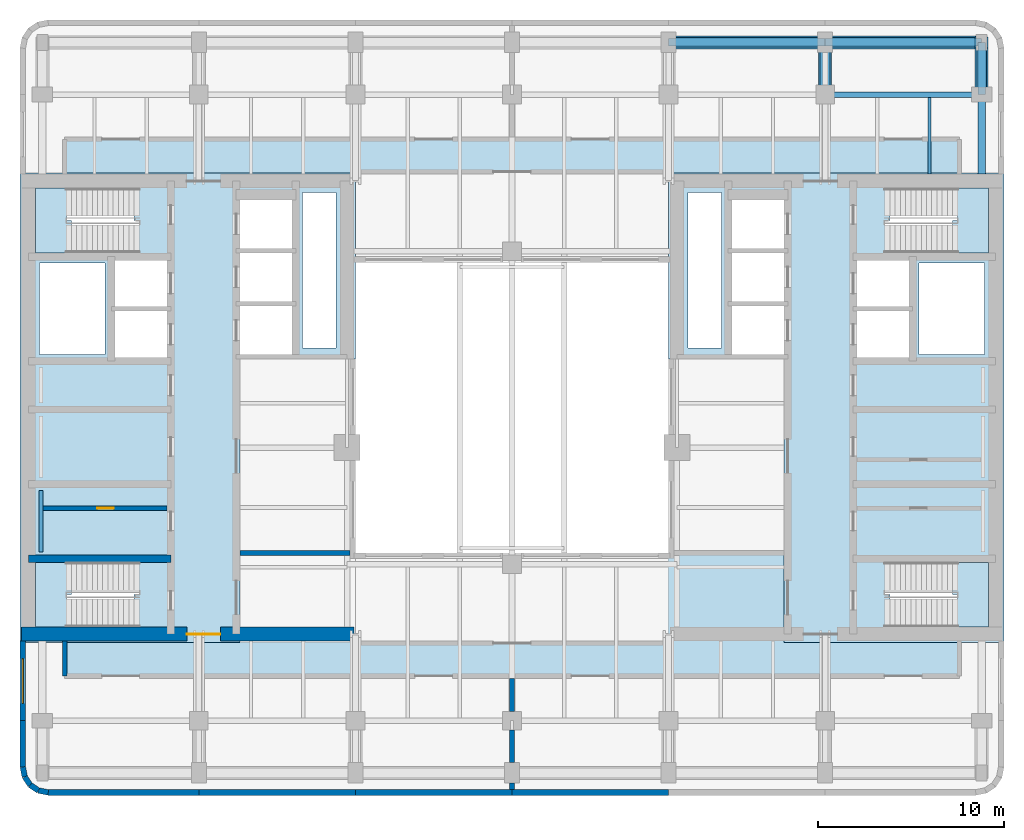
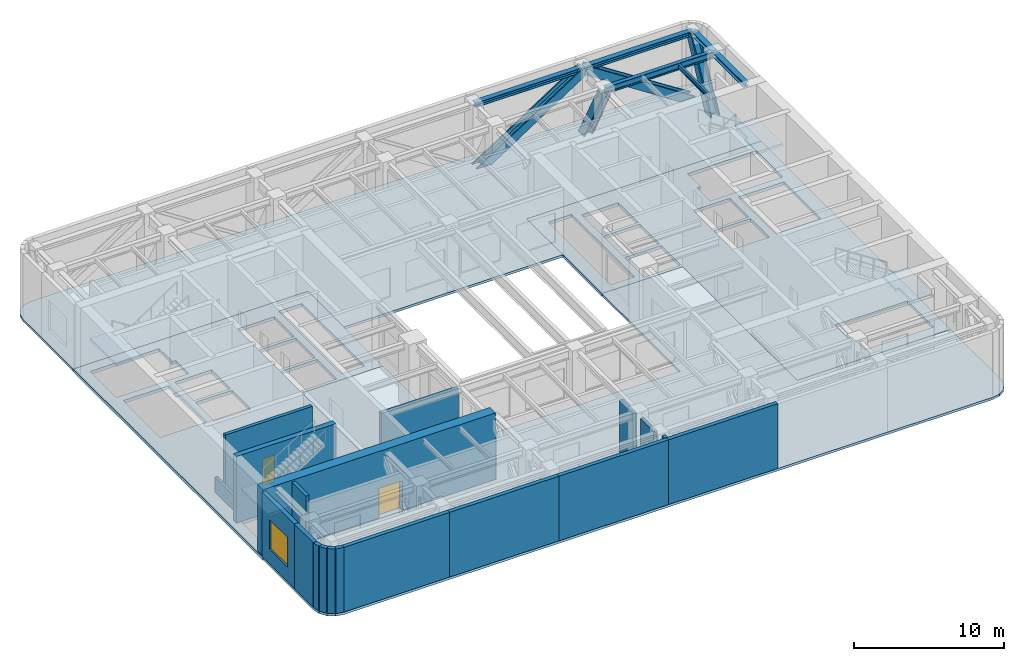
# One storey, part 3 of 10: 19 walls, 8 slabs, 6 beams, 4 members, 2 doors, 1 window, 3 openings, 4 elements without a shape of their own.
"""IFC4 building model written with IfcOpenShell, lengths in metres."""

from ifc_helpers import new_model, si_unit, direction, frame, frame_2d, origin, origin_2d, place, context, subcontext, project, spatial, polyline, rectangle, i_section, outline, extrude, material, layer, layer_set, material_profile, profile_set, type_object, element, fill, aggregate, save


model = new_model("IFC4")

# Units and contexts
model_context = context("Model", 3, precision=1e-05, world=origin(), true_north=direction((0.0, 1.0)))
body_context = subcontext(model_context, "Body", "Model", "MODEL_VIEW")
ifc_project = project(units=[si_unit("LENGTHUNIT", "METRE"), si_unit("AREAUNIT", "SQUARE_METRE"), si_unit("VOLUMEUNIT", "CUBIC_METRE"), si_unit("PLANEANGLEUNIT", "RADIAN"), si_unit("MASSUNIT", "GRAM", prefix="KILO")], contexts=[model_context])

# Site, building, storey
site_placement = place(None, origin())
site = spatial("IfcSite", under=ifc_project, at=site_placement, CompositionType="ELEMENT")
building_placement = place(site_placement, origin())
building = spatial("IfcBuilding", under=site, at=building_placement, Name="Claustro Exchange Tower", CompositionType="ELEMENT")
storey_placement = place(building_placement, frame((0.0, 0.0, 244.800048828125)))
storey = spatial("IfcBuildingStorey", under=building, at=storey_placement, Name="L56", CompositionType="ELEMENT", Elevation=244.800048828125)

# Beams
ifc_material_1 = material(Name="Steel S355", Category="steel")
ifc_material_profile_1 = material_profile(ifc_material_1, i_section(OverallWidth=0.169921875, OverallDepth=0.360107421875, WebThickness=0.008056640625, FlangeThickness=0.0126953125, FilletRadius=0.01806640625, at=origin_2d()), Name="IPE 360")
ifc_profile_set_1 = profile_set([ifc_material_profile_1], Name="Steel S355")
beam_type_1 = type_object("IfcBeamType", Name="B16 IPE 360 short-span beam", PredefinedType="BEAM", material=ifc_profile_set_1)
beam_1_placement = place(storey_placement, frame((47.60009765625, 37.72509765625, 5.070068359375), z_axis=(0.0, 1.0, 0.0), x_axis=(-1.0, 0.0, 0.0)))
element("IfcBeam", 1, at=beam_1_placement, inside=storey, type_object=beam_type_1, Name="Beam B16 L57", PredefinedType="BEAM", context=body_context, shape_type="SweptSolid", body=[
    extrude(i_section(OverallWidth=0.169921875, OverallDepth=0.360107421875, WebThickness=0.008056640625, FlangeThickness=0.0126953125, FilletRadius=0.01806640625, at=origin_2d()), origin(), (0.0, 0.0, 1.0), 4.125),
])
ifc_material_2 = material(Name="Steel S355", Category="steel")
ifc_material_profile_2 = material_profile(ifc_material_2, i_section(OverallWidth=0.300048828125, OverallDepth=0.550048828125, WebThickness=0.014892578125, FlangeThickness=0.029052734375, FilletRadius=0.027099609375, at=origin_2d()), Name="HE 550 B")
ifc_profile_set_2 = profile_set([ifc_material_profile_2], Name="Steel S355")
beam_type_2 = type_object("IfcBeamType", Name="B17 HE 550 B floor girder", PredefinedType="BEAM", material=ifc_profile_set_2)
beam_2_placement = place(storey_placement, frame((42.0, 42.0, 4.974853515625), z_axis=(1.0, 0.0, 0.0), x_axis=(0.0, 1.0, 0.0)))
element("IfcBeam", 2, at=beam_2_placement, inside=storey, type_object=beam_type_2, Name="Beam B17 L57", PredefinedType="BEAM", context=body_context, shape_type="SweptSolid", body=[
    extrude(i_section(OverallWidth=0.300048828125, OverallDepth=0.550048828125, WebThickness=0.014892578125, FlangeThickness=0.029052734375, FilletRadius=0.027099609375, at=origin_2d()), origin(), (0.0, 0.0, 1.0), 8.39990234375),
])
ifc_material_3 = material(Name="Steel S460", Category="steel")
ifc_material_profile_3 = material_profile(ifc_material_3, i_section(OverallWidth=0.39501953125, OverallDepth=0.3798828125, WebThickness=0.018798828125, FlangeThickness=0.0302734375, FilletRadius=0.014892578125, at=origin_2d()), Name="HD 400x237")
ifc_profile_set_3 = profile_set([ifc_material_profile_3], Name="Steel S460")
beam_type_3 = type_object("IfcBeamType", Name="BT5 HD 400x237 belt truss chord", PredefinedType="BEAM", material=ifc_profile_set_3)
beam_3_placement = place(storey_placement, frame((50.39990234375, 37.72509765625, 5.06005859375), z_axis=(0.0, 1.0, 0.0), x_axis=(-1.0, 0.0, 0.0)))
element("IfcBeam", 3, at=beam_3_placement, inside=storey, type_object=beam_type_3, Name="Beam BT5 L57", PredefinedType="BEAM", context=body_context, shape_type="SweptSolid", body=[
    extrude(i_section(OverallWidth=0.39501953125, OverallDepth=0.3798828125, WebThickness=0.018798828125, FlangeThickness=0.0302734375, FilletRadius=0.014892578125, at=origin_2d()), origin(), (0.0, 0.0, 1.0), 4.27490234375),
])
beam_4_placement = place(storey_placement, frame((50.39990234375, 42.0, 5.06005859375), z_axis=(0.0, 1.0, 0.0), x_axis=(-1.0, 0.0, 0.0)))
element("IfcBeam", 4, at=beam_4_placement, inside=storey, type_object=beam_type_3, Name="Beam BT5 L57", PredefinedType="BEAM", context=body_context, shape_type="SweptSolid", body=[
    extrude(i_section(OverallWidth=0.39501953125, OverallDepth=0.3798828125, WebThickness=0.018798828125, FlangeThickness=0.0302734375, FilletRadius=0.014892578125, at=origin_2d()), origin(), (0.0, 0.0, 1.0), 2.800048828125),
])
for number, where, z_axis, x_axis, name in (
    (5, (33.60009765625, 44.800048828125, 5.06005859375), (1.0, 0.0, 0.0), (0.0, 1.0, 0.0), "Beam BT5 L57"),
    (6, (42.0, 44.800048828125, 5.06005859375), (1.0, 0.0, 0.0), (0.0, 1.0, 0.0), "Beam BT5 L57"),
):
    element("IfcBeam", number, at=place(storey_placement, frame(where, z_axis=z_axis, x_axis=x_axis)), inside=storey, type_object=beam_type_3, Name=name, PredefinedType="BEAM", context=body_context, shape_type="SweptSolid", body=[
        extrude(i_section(OverallWidth=0.39501953125, OverallDepth=0.3798828125, WebThickness=0.018798828125, FlangeThickness=0.0302734375, FilletRadius=0.014892578125, at=origin_2d()), origin(), (0.0, 0.0, 1.0), 8.39990234375),
    ])

# Members
ifc_material_4 = material(Name="Steel S460", Category="steel")
ifc_material_profile_4 = material_profile(ifc_material_4, i_section(OverallWidth=0.64990234375, OverallDepth=0.699951171875, WebThickness=0.050048828125, FlangeThickness=0.090087890625, at=origin_2d()), Name="PG 700x650")
ifc_profile_set_4 = profile_set([ifc_material_profile_4], Name="Steel S460")
member_type_1 = type_object("IfcMemberType", Name="BT6 PG 700x650 belt truss diagonal", PredefinedType="BRACE", material=ifc_profile_set_4)
for number, where, z_axis, x_axis, name in (
    (7, (33.60009765625, 44.800048828125, -0.39013671875), (0.838887870076, 0.0, 0.544304272847), (-0.544304272847, 0.0, 0.838887870076), "Belt truss diagonal BT6 L56"),
    (8, (50.39990234375, 44.800048828125, -0.39013671875), (-0.838887870076, 0.0, 0.544304272847), (0.544304272847, 0.0, 0.838887870076), "Belt truss diagonal BT6 L56"),
):
    element("IfcMember", number, at=place(storey_placement, frame(where, z_axis=z_axis, x_axis=x_axis)), inside=storey, type_object=member_type_1, Name=name, PredefinedType="BRACE", context=body_context, shape_type="SweptSolid", body=[
        extrude(i_section(OverallWidth=0.64990234375, OverallDepth=0.699951171875, WebThickness=0.050048828125, FlangeThickness=0.090087890625, at=origin_2d()), origin(), (0.0, 0.0, 1.0), 10.01318359375),
    ])
member_1_placement = place(storey_placement, frame((50.39990234375, 42.0, -0.39013671875), z_axis=(0.0, 0.456972552007, 0.889480796146), x_axis=(0.0, -0.889480796146, 0.456972552007)))
element("IfcMember", 9, at=member_1_placement, inside=storey, type_object=member_type_1, Name="Belt truss diagonal BT6 L56", PredefinedType="BRACE", context=body_context, shape_type="SweptSolid", body=[
    extrude(i_section(OverallWidth=0.64990234375, OverallDepth=0.699951171875, WebThickness=0.050048828125, FlangeThickness=0.090087890625, at=origin_2d()), origin(), (0.0, 0.0, 1.0), 6.12744140625),
])
ifc_material_5 = material(Name="Steel S460", Category="steel")
ifc_material_profile_5 = material_profile(ifc_material_5, i_section(OverallWidth=0.64990234375, OverallDepth=0.699951171875, WebThickness=0.050048828125, FlangeThickness=0.090087890625, at=origin_2d()), Name="PG 700x650")
ifc_profile_set_5 = profile_set([ifc_material_profile_5], Name="Steel S460")
member_type_2 = type_object("IfcMemberType", Name="OT7 PG 700x650 OUTRIGGER extension diagonal", PredefinedType="BRACE", material=ifc_profile_set_5)
member_2_placement = place(storey_placement, frame((42.0, 44.800048828125, -0.550048828125), z_axis=(0.0, -0.463697263021, 0.885993706674), x_axis=(0.0, 0.885993706674, 0.463697263021)))
element("IfcMember", 10, at=member_2_placement, inside=storey, type_object=member_type_2, Name="Outrigger extension diagonal OT7 L56", PredefinedType="BRACE", context=body_context, shape_type="SweptSolid", body=[
    extrude(i_section(OverallWidth=0.64990234375, OverallDepth=0.699951171875, WebThickness=0.050048828125, FlangeThickness=0.090087890625, at=origin_2d()), origin(), (0.0, 0.0, 1.0), 6.03857421875),
])

# Slabs
ifc_material_6 = material(Name="Concrete HA-50 (C50/60)", Category="concrete")
ifc_layer_1 = layer(ifc_material_6, 0.199951171875)
ifc_layer_set_1 = layer_set([ifc_layer_1], Name="Concrete HA-50 (C50/60)")
slab_type_1 = type_object("IfcSlabType", Name="S3 200 plant floor slab", PredefinedType="FLOOR", material=ifc_layer_set_1)
slab_1_placement = place(storey_placement, frame((0.0, 0.0, -0.199951171875)))
element("IfcSlab", 11, at=slab_1_placement, inside=storey, type_object=slab_type_1, Name="Floor slab S3 S L56", PredefinedType="FLOOR", context=body_context, shape_type="SweptSolid", body=[
    extrude(outline(polyline([(-0.27392578125, 4.51416015625), (0.300048828125, 4.39990234375), (50.10009765625, 4.39990234375), (50.674072265625, 4.51416015625), (51.16064453125, 4.83935546875), (51.48583984375, 5.325927734375), (51.60009765625, 5.89990234375), (51.60009765625, 12.60009765625), (39.800048828125, 12.60009765625), (39.800048828125, 27.800048828125), (33.60009765625, 27.800048828125), (33.60009765625, 17.39990234375), (16.800048828125, 17.39990234375), (16.800048828125, 27.800048828125), (10.60009765625, 27.800048828125), (10.60009765625, 12.60009765625), (-1.199951171875, 12.60009765625), (-1.199951171875, 5.89990234375), (-1.085693359375, 5.325927734375), (-0.7607421875, 4.83935546875), (-0.27392578125, 4.51416015625)])), origin(), (0.0, 0.0, 1.0), 0.199951171875),
])
slab_2_placement = place(storey_placement, frame((0.0, 0.0, -0.199951171875)))
element("IfcSlab", 12, at=slab_2_placement, inside=storey, type_object=slab_type_1, Name="Floor slab S3 N L56", PredefinedType="FLOOR", context=body_context, shape_type="SweptSolid", body=[
    extrude(outline(polyline([(16.800048828125, 37.800048828125), (16.800048828125, 33.0), (33.60009765625, 33.0), (33.60009765625, 37.800048828125), (51.60009765625, 37.800048828125), (51.60009765625, 44.5), (51.48583984375, 45.073974609375), (51.16064453125, 45.560791015625), (50.674072265625, 45.8857421875), (50.10009765625, 46.0), (0.300048828125, 46.0), (-0.27392578125, 45.8857421875), (-0.7607421875, 45.560791015625), (-1.085693359375, 45.073974609375), (-1.199951171875, 44.5), (-1.199951171875, 37.800048828125), (16.800048828125, 37.800048828125)])), origin(), (0.0, 0.0, 1.0), 0.199951171875),
])
ifc_material_7 = material(Name="Concrete HA-50 (C50/60)", Category="concrete")
ifc_layer_2 = layer(ifc_material_7, 0.25)
ifc_layer_set_2 = layer_set([ifc_layer_2], Name="Concrete HA-50 (C50/60)")
slab_type_2 = type_object("IfcSlabType", Name="S7 250 core floor slab", PredefinedType="FLOOR", material=ifc_layer_set_2)
slab_3_placement = place(storey_placement, frame((0.0, 0.0, -0.25)))
element("IfcSlab", 13, at=slab_3_placement, inside=storey, type_object=slab_type_2, Name="Core floor slab S7 W core L56", PredefinedType="FLOOR", context=body_context, shape_type="SweptSolid", body=[
    extrude(outline(polyline([(-1.199951171875, 37.800048828125), (-1.199951171875, 12.60009765625), (10.60009765625, 12.60009765625), (10.60009765625, 27.800048828125), (16.800048828125, 27.800048828125), (16.800048828125, 37.800048828125), (-1.199951171875, 37.800048828125)]), holes=[polyline([(13.949951171875, 36.75), (15.75, 36.75), (15.75, 28.39990234375), (13.949951171875, 28.39990234375), (13.949951171875, 36.75)]), polyline([(10.60009765625, 30.64990234375), (13.39990234375, 30.64990234375), (13.39990234375, 28.050048828125), (10.60009765625, 28.050048828125), (10.60009765625, 30.64990234375)]), polyline([(10.60009765625, 33.5), (13.39990234375, 33.5), (13.39990234375, 30.89990234375), (10.60009765625, 30.89990234375), (10.60009765625, 33.5)]), polyline([(13.39990234375, 36.35009765625), (13.39990234375, 33.75), (10.60009765625, 33.75), (10.60009765625, 36.35009765625), (13.39990234375, 36.35009765625)]), polyline([(3.89990234375, 30.375), (6.699951171875, 30.375), (6.699951171875, 27.89990234375), (3.89990234375, 27.89990234375), (3.89990234375, 30.375)]), polyline([(3.89990234375, 33.10009765625), (6.699951171875, 33.10009765625), (6.699951171875, 30.625), (3.89990234375, 30.625), (3.89990234375, 33.10009765625)]), polyline([(-0.375, 15.16259765625), (-0.375, 16.89990234375), (5.195068359375, 16.89990234375), (5.195068359375, 15.16259765625), (4.919921875, 15.16259765625), (4.919921875, 13.425048828125), (-0.375, 13.425048828125), (-0.375, 15.16259765625)]), polyline([(-0.375, 35.237548828125), (-0.375, 36.97509765625), (4.919921875, 36.97509765625), (4.919921875, 35.237548828125), (5.195068359375, 35.237548828125), (5.195068359375, 33.5), (-0.375, 33.5), (-0.375, 35.237548828125)]), polyline([(-0.14990234375, 32.949951171875), (3.35009765625, 32.949951171875), (3.35009765625, 28.050048828125), (-0.14990234375, 28.050048828125), (-0.14990234375, 32.949951171875)])]), origin(), (0.0, 0.0, 1.0), 0.25),
])
slab_4_placement = place(storey_placement, frame((0.0, 0.0, -0.25)))
element("IfcSlab", 14, at=slab_4_placement, inside=storey, type_object=slab_type_2, Name="Core floor slab S7 E core L56", PredefinedType="FLOOR", context=body_context, shape_type="SweptSolid", body=[
    extrude(outline(polyline([(51.60009765625, 37.800048828125), (33.60009765625, 37.800048828125), (33.60009765625, 27.800048828125), (39.800048828125, 27.800048828125), (39.800048828125, 12.60009765625), (51.60009765625, 12.60009765625), (51.60009765625, 37.800048828125)]), holes=[polyline([(45.47998046875, 15.16259765625), (45.205078125, 15.16259765625), (45.205078125, 16.89990234375), (50.77490234375, 16.89990234375), (50.77490234375, 15.16259765625), (50.77490234375, 13.425048828125), (45.47998046875, 13.425048828125), (45.47998046875, 15.16259765625)]), polyline([(45.47998046875, 35.237548828125), (45.47998046875, 36.97509765625), (50.77490234375, 36.97509765625), (50.77490234375, 35.237548828125), (50.77490234375, 33.5), (45.205078125, 33.5), (45.205078125, 35.237548828125), (45.47998046875, 35.237548828125)]), polyline([(47.050048828125, 32.949951171875), (50.550048828125, 32.949951171875), (50.550048828125, 28.050048828125), (47.050048828125, 28.050048828125), (47.050048828125, 32.949951171875)]), polyline([(43.699951171875, 30.375), (46.5, 30.375), (46.5, 27.89990234375), (43.699951171875, 27.89990234375), (43.699951171875, 30.375)]), polyline([(43.699951171875, 33.10009765625), (46.5, 33.10009765625), (46.5, 30.625), (43.699951171875, 30.625), (43.699951171875, 33.10009765625)]), polyline([(37.0, 30.64990234375), (39.800048828125, 30.64990234375), (39.800048828125, 28.050048828125), (37.0, 28.050048828125), (37.0, 30.64990234375)]), polyline([(37.0, 33.5), (39.800048828125, 33.5), (39.800048828125, 30.89990234375), (37.0, 30.89990234375), (37.0, 33.5)]), polyline([(39.800048828125, 36.35009765625), (39.800048828125, 33.75), (37.0, 33.75), (37.0, 36.35009765625), (39.800048828125, 36.35009765625)]), polyline([(34.64990234375, 36.75), (36.449951171875, 36.75), (36.449951171875, 28.39990234375), (34.64990234375, 28.39990234375), (34.64990234375, 36.75)])]), origin(), (0.0, 0.0, 1.0), 0.25),
])

# Stair, slab
ifc_material_8 = material(Name="Concrete HA-30 (C30/37), precast", Category="concrete")
stair_type = type_object("IfcStairType", Name="ST3 half-turn stair, 30 risers of 180", PredefinedType="HALF_TURN_STAIR", material=ifc_material_8)
stair_1_placement = place(storey_placement, origin())
stair_1 = element("IfcStair", 15, at=stair_1_placement, inside=storey, type_object=stair_type, Name="Stair STWA L56", PredefinedType="HALF_TURN_STAIR")
ifc_material_9 = material(Name="Concrete HA-30 (C30/37), precast", Category="concrete")
ifc_layer_3 = layer(ifc_material_9, 0.199951171875)
ifc_layer_set_3 = layer_set([ifc_layer_3], Name="Concrete HA-30 (C30/37), precast")
slab_type_3 = type_object("IfcSlabType", Name="S9 200 stair landing", PredefinedType="LANDING", material=ifc_layer_set_3)
slab_5_placement = place(storey_placement, frame((0.0, 0.0, 2.5)))
slab_5 = element("IfcSlab", 16, at=slab_5_placement, type_object=slab_type_3, Name="STWA landing 1", PredefinedType="LANDING", context=body_context, shape_type="SweptSolid", body=[
    extrude(outline(polyline([(1.284912109375, 13.425048828125), (-0.375, 13.425048828125), (-0.375, 16.89990234375), (1.280029296875, 16.89990234375), (1.284912109375, 16.89990234375), (1.56005859375, 16.89990234375), (1.56005859375, 15.16259765625), (1.284912109375, 15.16259765625), (1.284912109375, 13.425048828125)])), origin(), (0.0, 0.0, 1.0), 0.199951171875),
])
aggregate(stair_1, [slab_5])

stair_2_placement = place(storey_placement, origin())
stair_2 = element("IfcStair", 17, at=stair_2_placement, inside=storey, type_object=stair_type, Name="Stair STWB L56", PredefinedType="HALF_TURN_STAIR")
slab_6_placement = place(storey_placement, frame((0.0, 0.0, 2.5)))
slab_6 = element("IfcSlab", 18, at=slab_6_placement, type_object=slab_type_3, Name="STWB landing 1", PredefinedType="LANDING", context=body_context, shape_type="SweptSolid", body=[
    extrude(outline(polyline([(1.56005859375, 35.237548828125), (1.56005859375, 33.5), (1.284912109375, 33.5), (1.280029296875, 33.5), (-0.375, 33.5), (-0.375, 36.97509765625), (1.284912109375, 36.97509765625), (1.284912109375, 35.237548828125), (1.56005859375, 35.237548828125)])), origin(), (0.0, 0.0, 1.0), 0.199951171875),
])
aggregate(stair_2, [slab_6])

stair_3_placement = place(storey_placement, origin())
stair_3 = element("IfcStair", 19, at=stair_3_placement, inside=storey, type_object=stair_type, Name="Stair STEA L56", PredefinedType="HALF_TURN_STAIR")
slab_7_placement = place(storey_placement, frame((0.0, 0.0, 2.5)))
slab_7 = element("IfcSlab", 20, at=slab_7_placement, type_object=slab_type_3, Name="STEA landing 1", PredefinedType="LANDING", context=body_context, shape_type="SweptSolid", body=[
    extrude(outline(polyline([(50.77490234375, 16.89990234375), (50.77490234375, 13.425048828125), (49.114990234375, 13.425048828125), (49.114990234375, 15.16259765625), (48.840087890625, 15.16259765625), (48.840087890625, 16.89990234375), (49.114990234375, 16.89990234375), (49.1201171875, 16.89990234375), (50.77490234375, 16.89990234375)])), origin(), (0.0, 0.0, 1.0), 0.199951171875),
])
aggregate(stair_3, [slab_7])

stair_4_placement = place(storey_placement, origin())
stair_4 = element("IfcStair", 21, at=stair_4_placement, inside=storey, type_object=stair_type, Name="Stair STEB L56", PredefinedType="HALF_TURN_STAIR")
slab_8_placement = place(storey_placement, frame((0.0, 0.0, 2.5)))
slab_8 = element("IfcSlab", 22, at=slab_8_placement, type_object=slab_type_3, Name="STEB landing 1", PredefinedType="LANDING", context=body_context, shape_type="SweptSolid", body=[
    extrude(outline(polyline([(48.840087890625, 33.5), (48.840087890625, 35.237548828125), (49.114990234375, 35.237548828125), (49.114990234375, 36.97509765625), (50.77490234375, 36.97509765625), (50.77490234375, 33.5), (49.1201171875, 33.5), (49.114990234375, 33.5), (48.840087890625, 33.5)])), origin(), (0.0, 0.0, 1.0), 0.199951171875),
])
aggregate(stair_4, [slab_8])

# Walls
ifc_material_10 = material(Name="Concrete blockwork, rendered", Category="masonry")
ifc_layer_4 = layer(ifc_material_10, 0.25)
ifc_layer_set_4 = layer_set([ifc_layer_4], Name="Concrete blockwork, rendered")
wall_type_1 = type_object("IfcWallType", Name="P4 250 blockwork wall", PredefinedType="PARTITIONING", material=ifc_layer_set_4)
wall_1_placement = place(storey_placement, frame((10.597900390625, 17.39990234375, 0.0), z_axis=(0.0, 0.0, 1.0), x_axis=(1.0, 0.0, 0.0)))
element("IfcWall", 23, at=wall_1_placement, inside=storey, type_object=wall_type_1, Name="Partition P4 L56", PredefinedType="PARTITIONING", context=body_context, shape_type="SweptSolid", body=[
    extrude(rectangle(XDim=5.904052734375, YDim=0.25, at=frame_2d((2.9521484375, 0.0))), origin(), (0.0, 0.0, 1.0), 4.699951171875),
])
wall_2_placement = place(storey_placement, frame((1.199951171875, 10.800048828125, 0.0), z_axis=(0.0, 0.0, 1.0), x_axis=(0.0, 1.0, 0.0)))
element("IfcWall", 24, at=wall_2_placement, inside=storey, type_object=wall_type_1, Name="Partition P4 L56", PredefinedType="PARTITIONING", context=body_context, shape_type="SweptSolid", body=[
    extrude(rectangle(XDim=1.8759765625, YDim=0.25, at=frame_2d((0.93798828125, 0.0))), origin(), (0.0, 0.0, 1.0), 5.25),
])
wall_3_placement = place(storey_placement, frame((25.199951171875, 4.697998046875, 0.0), z_axis=(0.0, 0.0, 1.0), x_axis=(0.0, 1.0, 0.0)))
element("IfcWall", 25, at=wall_3_placement, inside=storey, type_object=wall_type_1, Name="Partition P4 L56", PredefinedType="PARTITIONING", context=body_context, shape_type="SweptSolid", body=[
    extrude(rectangle(XDim=0.35107421875, YDim=0.25, at=frame_2d((0.175537109375, 0.0))), origin(), (0.0, 0.0, 1.0), 5.25),
])
wall_4_placement = place(storey_placement, frame((25.199951171875, 6.14892578125, 0.0), z_axis=(0.0, 0.0, 1.0), x_axis=(0.0, 1.0, 0.0)))
element("IfcWall", 26, at=wall_4_placement, inside=storey, type_object=wall_type_1, Name="Partition P4 L56", PredefinedType="PARTITIONING", context=body_context, shape_type="SweptSolid", body=[
    extrude(rectangle(XDim=1.751953125, YDim=0.25, at=frame_2d((0.8759765625, 0.0))), origin(), (0.0, 0.0, 1.0), 4.889892578125),
])
wall_5_placement = place(storey_placement, frame((25.199951171875, 8.89892578125, 0.0), z_axis=(0.0, 0.0, 1.0), x_axis=(0.0, 1.0, 0.0)))
element("IfcWall", 27, at=wall_5_placement, inside=storey, type_object=wall_type_1, Name="Partition P4 L56", PredefinedType="PARTITIONING", context=body_context, shape_type="SweptSolid", body=[
    extrude(rectangle(XDim=1.777099609375, YDim=0.25, at=frame_2d((0.888671875, 0.0))), origin(), (0.0, 0.0, 1.0), 4.699951171875),
])

# Wall, opening, door
wall_6_placement = place(storey_placement, frame((0.02490234375, 19.800048828125, 0.0), z_axis=(0.0, 0.0, 1.0), x_axis=(1.0, 0.0, 0.0)))
wall_6 = element("IfcWall", 28, at=wall_6_placement, inside=storey, type_object=wall_type_1, Name="Partition P4 L56", PredefinedType="PARTITIONING", context=body_context, shape_type="SweptSolid", body=[
    extrude(rectangle(XDim=6.675048828125, YDim=0.25, at=frame_2d((3.33740234375, 0.0))), origin(), (0.0, 0.0, 1.0), 5.199951171875),
])
opening_1_placement = place(wall_6_placement, frame((2.91259765625, 0.0, 0.0)))
opening_1 = element("IfcOpeningElement", 29, at=opening_1_placement, cuts=wall_6, Name="Opening D5", PredefinedType="OPENING", context=body_context, shape_type="SweptSolid", body=[
    extrude(rectangle(XDim=0.89990234375, YDim=2.199951171875, at=frame_2d((0.449951171875, 1.10009765625))), frame((0.0, 0.135009765625, 0.0), z_axis=(0.0, -1.0, 0.0), x_axis=(1.0, 0.0, 0.0)), (0.0, 0.0, 1.0), 0.27001953125),
])
ifc_material_11 = material(Name="Steel door, painted", Category="steel")
door_type_1 = type_object("IfcDoorType", Name="D5 900 x 2200 store door", OperationType="SINGLE_SWING_LEFT", PredefinedType="DOOR", material=ifc_material_11)
door_1_placement = place(opening_1_placement, origin())
door_1 = element("IfcDoor", 30, at=door_1_placement, inside=storey, type_object=door_type_1, Name="Store door D5 L56", OperationType="SINGLE_SWING_RIGHT", OverallHeight=2.199951171875, OverallWidth=0.89990234375, PredefinedType="DOOR", context=body_context, shape_type="SweptSolid", body=[
    extrude(rectangle(XDim=0.89990234375, YDim=2.199951171875, at=frame_2d((0.449951171875, 1.10009765625))), frame((0.0, 0.02490234375, 0.0), z_axis=(0.0, -1.0, 0.0), x_axis=(1.0, 0.0, 0.0)), (0.0, 0.0, 1.0), 0.050048828125),
])
fill(opening_1, door_1)

# Walls
ifc_material_12 = material(Name="Concrete HA-40 (C40/50), precast, white cement, acid-etched", Category="concrete")
ifc_layer_5 = layer(ifc_material_12, 0.300048828125)
ifc_layer_set_5 = layer_set([ifc_layer_5], Name="Concrete HA-40 (C40/50), precast, white cement, acid-etched")
wall_type_2 = type_object("IfcWallType", Name="PC1 300 precast concrete pier panel", PredefinedType="SOLIDWALL", material=ifc_layer_set_5)
wall_7_placement = place(storey_placement, frame((33.60009765625, 4.550048828125, 0.0), z_axis=(0.0, 0.0, 1.0), x_axis=(-1.0, 0.0, 0.0)))
element("IfcWall", 31, at=wall_7_placement, inside=storey, type_object=wall_type_2, Name="Precast pier panel PC1 L56", PredefinedType="SOLIDWALL", context=body_context, shape_type="SweptSolid", body=[
    extrude(rectangle(XDim=8.400146484375, YDim=0.300048828125, at=frame_2d((4.2001953125, 0.0))), origin(), (0.0, 0.0, 1.0), 5.25),
])
wall_8_placement = place(storey_placement, frame((25.199951171875, 4.550048828125, 0.0), z_axis=(0.0, 0.0, 1.0), x_axis=(-1.0, 0.0, 0.0)))
element("IfcWall", 32, at=wall_8_placement, inside=storey, type_object=wall_type_2, Name="Precast pier panel PC1 L56", PredefinedType="SOLIDWALL", context=body_context, shape_type="SweptSolid", body=[
    extrude(rectangle(XDim=8.39990234375, YDim=0.300048828125, at=frame_2d((4.199951171875, 0.0))), origin(), (0.0, 0.0, 1.0), 5.25),
])
wall_9_placement = place(storey_placement, frame((16.800048828125, 4.550048828125, 0.0), z_axis=(0.0, 0.0, 1.0), x_axis=(-1.0, 0.0, 0.0)))
element("IfcWall", 33, at=wall_9_placement, inside=storey, type_object=wall_type_2, Name="Precast pier panel PC1 L56", PredefinedType="SOLIDWALL", context=body_context, shape_type="SweptSolid", body=[
    extrude(rectangle(XDim=8.400146484375, YDim=0.300048828125, at=frame_2d((4.2001953125, 0.0))), origin(), (0.0, 0.0, 1.0), 5.25),
])
wall_10_placement = place(storey_placement, frame((8.39990234375, 4.550048828125, 0.0), z_axis=(0.0, 0.0, 1.0), x_axis=(-1.0, 0.0, 0.0)))
element("IfcWall", 34, at=wall_10_placement, inside=storey, type_object=wall_type_2, Name="Precast pier panel PC1 L56", PredefinedType="SOLIDWALL", context=body_context, shape_type="SweptSolid", body=[
    extrude(rectangle(XDim=8.085205078125, YDim=0.300048828125, at=frame_2d((4.04248046875, 0.0))), origin(), (0.0, 0.0, 1.0), 5.25),
])
wall_11_placement = place(storey_placement, frame((0.314697265625, 4.550048828125, 0.0), z_axis=(0.0, 0.0, 1.0), x_axis=(-0.980788534345, 0.195073962632, 0.0)))
element("IfcWall", 35, at=wall_11_placement, inside=storey, type_object=wall_type_2, Name="Precast pier panel PC1 L56", PredefinedType="SOLIDWALL", context=body_context, shape_type="SweptSolid", body=[
    extrude(rectangle(XDim=0.540771484375, YDim=0.300048828125, at=frame_2d((0.2705078125, 0.0))), origin(), (0.0, 0.0, 1.0), 5.25),
])
for number, where, z_axis, x_axis, name in (
    (36, (-0.215576171875, 4.655517578125, 0.0), (0.0, 0.0, 1.0), (-0.831478144188, 0.555557463938, 0.0), "Precast pier panel PC1 L56"),
    (37, (-0.652587890625, 4.947509765625, 0.0), (0.0, 0.0, 1.0), (-0.555557463938, 0.831478144188, 0.0), "Precast pier panel PC1 L56"),
):
    element("IfcWall", number, at=place(storey_placement, frame(where, z_axis=z_axis, x_axis=x_axis)), inside=storey, type_object=wall_type_2, Name=name, PredefinedType="SOLIDWALL", context=body_context, shape_type="SweptSolid", body=[
        extrude(rectangle(XDim=0.525634765625, YDim=0.300048828125, at=frame_2d((0.2626953125, 0.0))), origin(), (0.0, 0.0, 1.0), 5.25),
    ])
wall_12_placement = place(storey_placement, frame((-0.944580078125, 5.384521484375, 0.0), z_axis=(0.0, 0.0, 1.0), x_axis=(-0.195073962632, 0.980788534345, 0.0)))
element("IfcWall", 38, at=wall_12_placement, inside=storey, type_object=wall_type_2, Name="Precast pier panel PC1 L56", PredefinedType="SOLIDWALL", context=body_context, shape_type="SweptSolid", body=[
    extrude(rectangle(XDim=0.540771484375, YDim=0.300048828125, at=frame_2d((0.2705078125, 0.0))), origin(), (0.0, 0.0, 1.0), 5.25),
])
wall_13_placement = place(storey_placement, frame((-1.050048828125, 5.914794921875, 0.0), z_axis=(0.0, 0.0, 1.0), x_axis=(0.0, 1.0, 0.0)))
element("IfcWall", 39, at=wall_13_placement, inside=storey, type_object=wall_type_2, Name="Precast pier panel PC1 L56", PredefinedType="SOLIDWALL", context=body_context, shape_type="SweptSolid", body=[
    extrude(rectangle(XDim=2.485107421875, YDim=0.300048828125, at=frame_2d((1.24267578125, 0.0))), origin(), (0.0, 0.0, 1.0), 5.25),
])

# Wall, opening, window
wall_14_placement = place(storey_placement, frame((-1.050048828125, 8.39990234375, 0.0), z_axis=(0.0, 0.0, 1.0), x_axis=(0.0, 1.0, 0.0)))
wall_14 = element("IfcWall", 40, at=wall_14_placement, inside=storey, type_object=wall_type_2, Name="Precast pier panel PC1 L56", PredefinedType="SOLIDWALL", context=body_context, shape_type="SweptSolid", body=[
    extrude(rectangle(XDim=4.275146484375, YDim=0.300048828125, at=frame_2d((2.1376953125, 0.0))), origin(), (0.0, 0.0, 1.0), 5.25),
])
opening_2_placement = place(wall_14_placement, frame((0.9375, 0.0, 1.199951171875)))
opening_2 = element("IfcOpeningElement", 41, at=opening_2_placement, cuts=wall_14, Name="Opening L2", PredefinedType="OPENING", context=body_context, shape_type="SweptSolid", body=[
    extrude(rectangle(XDim=2.39990234375, YDim=2.39990234375, at=frame_2d((1.199951171875, 1.199951171875))), frame((0.0, 0.159912109375, 0.0), z_axis=(0.0, -1.0, 0.0), x_axis=(1.0, 0.0, 0.0)), (0.0, 0.0, 1.0), 0.320068359375),
])
ifc_material_13 = material(Name="Aluminium louvre blades", Category="aluminium")
window_type = type_object("IfcWindowType", Name="L2 2400 x 2400 plant louvre", PartitioningType="SINGLE_PANEL", PredefinedType="USERDEFINED", material=ifc_material_13)
window_placement = place(opening_2_placement, origin())
window = element("IfcWindow", 42, at=window_placement, inside=storey, type_object=window_type, Name="Plant louvre L2 L56", ObjectType="LOUVRE", OverallHeight=2.39990234375, OverallWidth=2.39990234375, PartitioningType="SINGLE_PANEL", PredefinedType="USERDEFINED", context=body_context, shape_type="SweptSolid", body=[
    extrude(rectangle(XDim=2.39990234375, YDim=2.39990234375, at=frame_2d((1.199951171875, 1.199951171875))), frame((0.0, 0.030029296875, 0.0), z_axis=(0.0, -1.0, 0.0), x_axis=(1.0, 0.0, 0.0)), (0.0, 0.0, 1.0), 0.06005859375),
])
fill(opening_2, window)

# Wall
ifc_material_14 = material(Name="Gypsum board on steel studs, tiled", Category="steel")
ifc_layer_6 = layer(ifc_material_14, 0.199951171875)
ifc_layer_set_6 = layer_set([ifc_layer_6], Name="Gypsum board on steel studs, tiled")
wall_type_3 = type_object("IfcWallType", Name="PW1 200 WC duct wall", PredefinedType="PLUMBINGWALL", material=ifc_layer_set_6)
wall_15_placement = place(storey_placement, frame((-0.074951171875, 17.449951171875, 0.0), z_axis=(0.0, 0.0, 1.0), x_axis=(0.0, 1.0, 0.0)))
element("IfcWall", 43, at=wall_15_placement, inside=storey, type_object=wall_type_3, Name="WC duct wall PW1 L56", PredefinedType="PLUMBINGWALL", context=body_context, shape_type="SweptSolid", body=[
    extrude(rectangle(XDim=3.300048828125, YDim=0.199951171875, at=frame_2d((1.64990234375, 0.0))), origin(), (0.0, 0.0, 1.0), 1.199951171875),
])

# Wall, opening, door
ifc_material_15 = material(Name="Concrete HA-70 (C70/85)", Category="concrete")
ifc_layer_7 = layer(ifc_material_15, 0.75)
ifc_layer_set_7 = layer_set([ifc_layer_7], Name="Concrete HA-70 (C70/85)")
wall_type_4 = type_object("IfcWallType", Name="SW2 750 core shear wall", PredefinedType="SHEAR", material=ifc_layer_set_7)
wall_16_placement = place(storey_placement, frame((-1.125, 13.050048828125, 0.0), z_axis=(0.0, 0.0, 1.0), x_axis=(1.0, 0.0, 0.0)))
wall_16 = element("IfcWall", 44, at=wall_16_placement, inside=storey, type_object=wall_type_4, Name="Core wall SW2 W core S face L56", PredefinedType="SHEAR", context=body_context, shape_type="SweptSolid", body=[
    extrude(rectangle(XDim=17.85009765625, YDim=0.75, at=frame_2d((8.925048828125, 0.0))), origin(), (0.0, 0.0, 1.0), 5.39990234375),
])
opening_3_placement = place(wall_16_placement, frame((8.875, 0.0, 0.0)))
opening_3 = element("IfcOpeningElement", 45, at=opening_3_placement, cuts=wall_16, Name="Opening D3", PredefinedType="OPENING", context=body_context, shape_type="SweptSolid", body=[
    extrude(rectangle(XDim=1.800048828125, YDim=2.39990234375, at=frame_2d((0.89990234375, 1.199951171875))), frame((0.0, 0.385009765625, 0.0), z_axis=(0.0, -1.0, 0.0), x_axis=(1.0, 0.0, 0.0)), (0.0, 0.0, 1.0), 0.77001953125),
])
ifc_material_16 = material(Name="Steel fire door, painted", Category="steel")
door_type_2 = type_object("IfcDoorType", Name="D3 1800 x 2400 fire-rated lobby double door", OperationType="DOUBLE_DOOR_SINGLE_SWING", PredefinedType="DOOR", material=ifc_material_16)
door_2_placement = place(opening_3_placement, origin())
door_2 = element("IfcDoor", 46, at=door_2_placement, inside=storey, type_object=door_type_2, Name="Lift lobby door D3 L56", OperationType="DOUBLE_DOOR_SINGLE_SWING", OverallHeight=2.39990234375, OverallWidth=1.800048828125, PredefinedType="DOOR", context=body_context, shape_type="SweptSolid", body=[
    extrude(rectangle(XDim=1.800048828125, YDim=2.39990234375, at=frame_2d((0.89990234375, 1.199951171875))), frame((0.0, 0.02490234375, 0.0), z_axis=(0.0, -1.0, 0.0), x_axis=(1.0, 0.0, 0.0)), (0.0, 0.0, 1.0), 0.050048828125),
])
fill(opening_3, door_2)

# Wall
ifc_material_17 = material(Name="Concrete HA-50 (C50/60)", Category="concrete")
ifc_layer_8 = layer(ifc_material_17, 0.39990234375)
ifc_layer_set_8 = layer_set([ifc_layer_8], Name="Concrete HA-50 (C50/60)")
wall_type_5 = type_object("IfcWallType", Name="SW4 400 internal core wall", PredefinedType="SHEAR", material=ifc_layer_set_8)
wall_17_placement = place(storey_placement, frame((-0.75, 17.10009765625, 0.0), z_axis=(0.0, 0.0, 1.0), x_axis=(1.0, 0.0, 0.0)))
element("IfcWall", 47, at=wall_17_placement, inside=storey, type_object=wall_type_5, Name="Internal core wall SW4 W core L56", PredefinedType="SHEAR", context=body_context, shape_type="SweptSolid", body=[
    extrude(rectangle(XDim=7.64990234375, YDim=0.39990234375, at=frame_2d((3.824951171875, 0.0))), origin(), (0.0, 0.0, 1.0), 5.39990234375),
])

save(model, "model.ifc")
